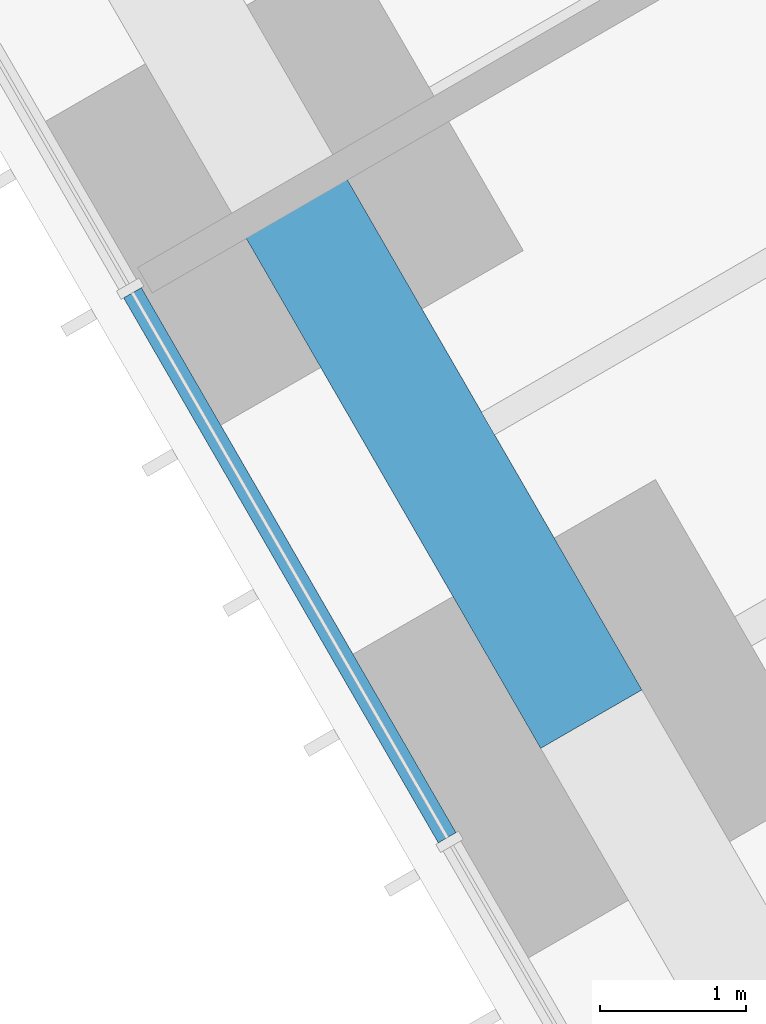
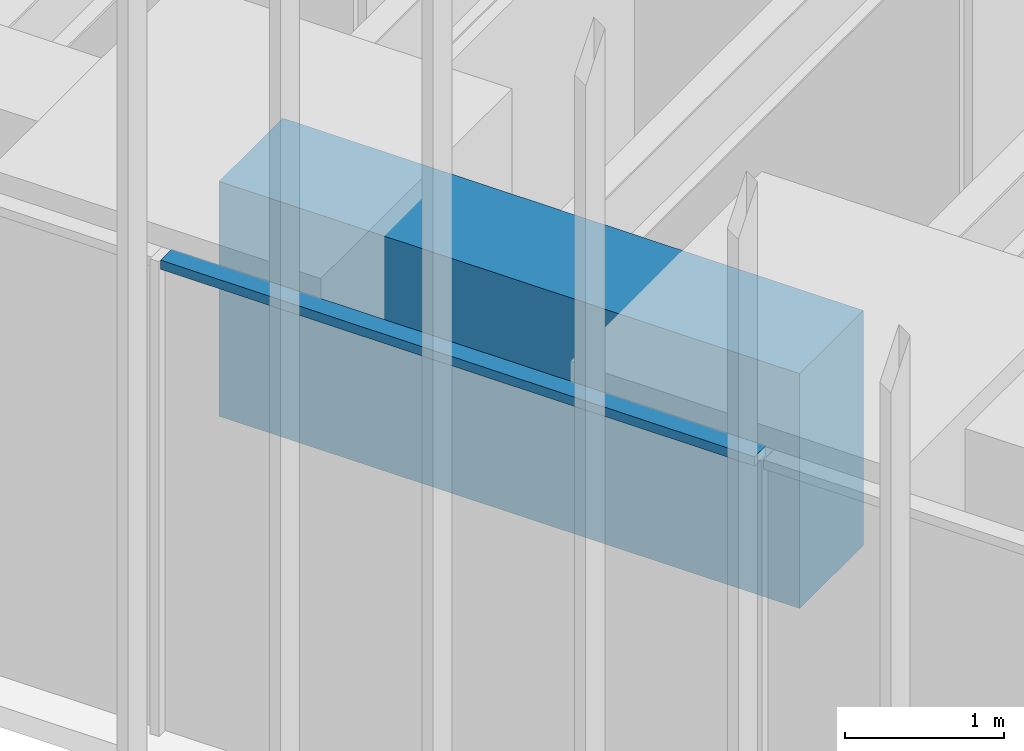
# One storey, part 14 of 256: 1 beam, 1 member, 1 element without a shape of its own.
"""IFC4 building model written with IfcOpenShell, lengths in metres."""

from ifc_helpers import new_model, si_unit, direction, frame, origin, origin_2d, place, context, subcontext, project, spatial, rectangle, extrude, material, material_profile, profile_set, type_object, element, aggregate, save


model = new_model("IFC4")

# Units and contexts
model_context = context("Model", 3, precision=1e-05, world=origin(), true_north=direction((0.0, 1.0)))
body_context = subcontext(model_context, "Body", "Model", "MODEL_VIEW")
ifc_project = project(units=[si_unit("LENGTHUNIT", "METRE"), si_unit("AREAUNIT", "SQUARE_METRE"), si_unit("VOLUMEUNIT", "CUBIC_METRE"), si_unit("PLANEANGLEUNIT", "RADIAN"), si_unit("MASSUNIT", "GRAM", prefix="KILO")], contexts=[model_context])

# Site, building, storey
site_placement = place(None, origin())
site = spatial("IfcSite", under=ifc_project, at=site_placement, CompositionType="ELEMENT")
building_placement = place(site_placement, origin())
building = spatial("IfcBuilding", under=site, at=building_placement, Name="Sandreach Pilgrim Tower", CompositionType="ELEMENT")
storey_placement = place(building_placement, frame((0.0, 0.0, 23.0)))
storey = spatial("IfcBuildingStorey", under=building, at=storey_placement, Name="L04", CompositionType="ELEMENT", Elevation=23.0)

# Curtain wall, member
ifc_material_1 = material(Name="Aluminium framed curtain wall", Category="aluminium")
curtain_wall_type = type_object("IfcCurtainWallType", Name="Hostel tower curtain wall", PredefinedType="NOTDEFINED", material=ifc_material_1)
curtain_wall_placement = place(storey_placement, origin())
curtain_wall = element("IfcCurtainWall", 1, at=curtain_wall_placement, inside=storey, type_object=curtain_wall_type, Name="CW-1 L04 SW", PredefinedType="NOTDEFINED")
ifc_material_2 = material(Name="Aluminium extrusion", Category="aluminium")
ifc_material_profile_1 = material_profile(ifc_material_2, rectangle(XDim=0.139892578125, YDim=0.070068359375, at=origin_2d()), Name="CW-1T 140X70")
ifc_profile_set_1 = profile_set([ifc_material_profile_1], Name="Aluminium extrusion")
member_type = type_object("IfcMemberType", Name="CW-1 transom", PredefinedType="USERDEFINED", material=ifc_profile_set_1)
member_placement = place(storey_placement, frame((-17.477783203125, -17.625, 3.60498046875), z_axis=(-0.500016891966, 0.866015650984, 0.0), x_axis=(-0.866015650984, -0.500016891966, 0.0)))
member = element("IfcMember", 2, at=member_placement, type_object=member_type, Name="CW-1 head transom 4", ObjectType="TRANSOM", PredefinedType="USERDEFINED", context=body_context, shape_type="SweptSolid", body=[
    extrude(rectangle(XDim=0.139892578125, YDim=0.070068359375, at=origin_2d()), origin(), (0.0, 0.0, 1.0), 4.306396484375),
])
aggregate(curtain_wall, [member])

# Beam
ifc_material_3 = material(Name="Concrete 10000 psi", Category="concrete")
ifc_material_profile_2 = material_profile(ifc_material_3, rectangle(XDim=0.800048828125, YDim=1.800048828125, at=origin_2d()), Name="RC800X1800")
ifc_profile_set_2 = profile_set([ifc_material_profile_2], Name="Concrete 10000 psi")
beam_type = type_object("IfcBeamType", Name="Spandrel beam RC800X1800", PredefinedType="SPANDREL", material=ifc_profile_set_2)
beam_placement = place(storey_placement, frame((-16.491455078125, -16.813232421875, 2.739990234375), z_axis=(-0.499993523031, 0.866029143232, 0.0), x_axis=(-0.866029143232, -0.499993523031, 0.0)))
element("IfcBeam", 3, at=beam_placement, inside=storey, type_object=beam_type, Name="BM L04 SP29", PredefinedType="SPANDREL", context=body_context, shape_type="SweptSolid", body=[
    extrude(rectangle(XDim=0.800048828125, YDim=1.800048828125, at=origin_2d()), origin(), (0.0, 0.0, 1.0), 4.2099609375),
])

save(model, "model.ifc")
